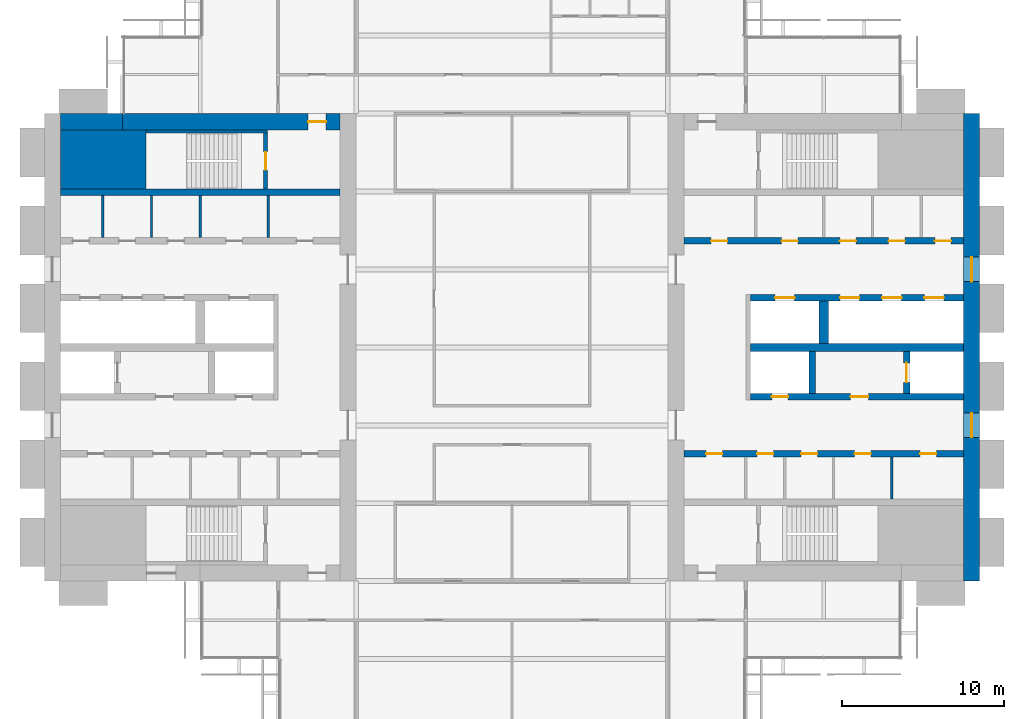
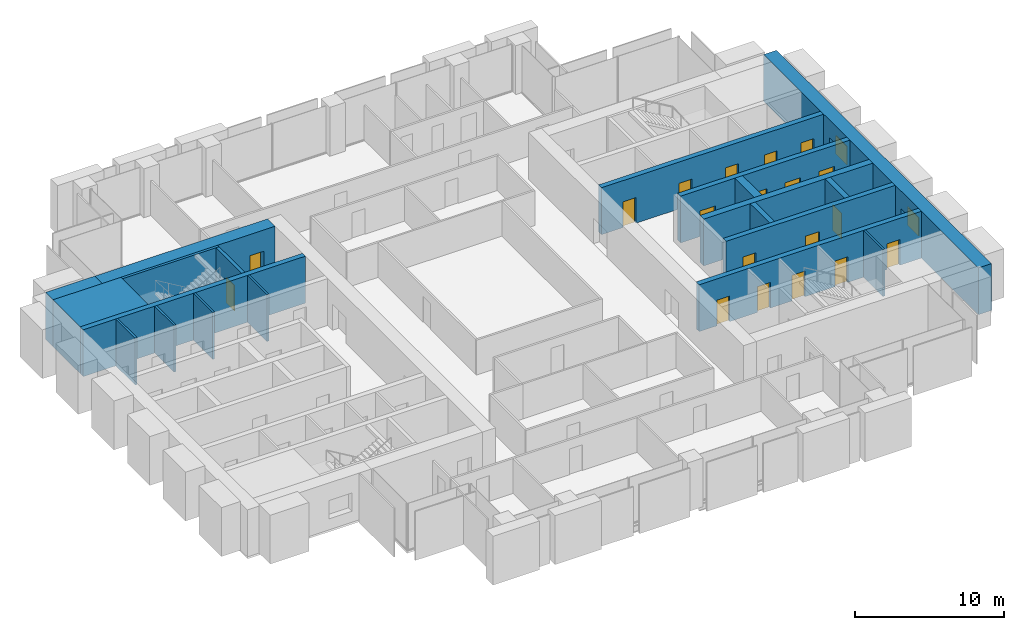
# One storey, part 11 of 14: 20 walls, 19 doors, 2 windows, 21 openings.
"""IFC4 building model written with IfcOpenShell, lengths in metres."""

import ifcopenshell
import ifcopenshell.guid

model = None  # the IFC model being written
_history = None  # IfcOwnerHistory: only IFC2X3 demands one
_inside = {}  # id of a spatial element -> (the spatial element, [elements in it])
_under = {}  # id of a project, library or spatial element -> (it, [spatial elements below it])
_declared = {}  # id of a project -> (the project, [libraries it declares])
_typed = {}  # id of a type object -> (the type object, [elements of that type])
_made_of = {}  # id of a material, layer set ... -> (it, [elements and type objects made of it])


def new_model(schema):
    """Start an empty IFC model of exactly this schema.

    Asked for "IFC4X3", IfcOpenShell would pick the latest addendum, in which some entities
    have other attributes; the version numbers below select the first issue.
    IFC2X3 requires an IfcOwnerHistory on every rooted entity: one is made here for all.
    """
    global model, _history
    if schema == "IFC4X3":
        model = ifcopenshell.file(schema_version=(4, 3, 0, 0))
    else:
        model = ifcopenshell.file(schema=schema)
    _inside.clear()
    _under.clear()
    _declared.clear()
    _typed.clear()
    _made_of.clear()
    _history = None
    if model.schema == "IFC2X3":
        org = make("IfcOrganization", Name="unknown")
        user = make(
            "IfcPersonAndOrganization",
            ThePerson=make("IfcPerson", FamilyName="unknown"),
            TheOrganization=org,
        )
        app = make(
            "IfcApplication",
            ApplicationDeveloper=org,
            Version="unknown",
            ApplicationFullName="unknown",
            ApplicationIdentifier="unknown",
        )
        _history = make(
            "IfcOwnerHistory",
            OwningUser=user,
            OwningApplication=app,
            ChangeAction="ADDED",
            CreationDate=0,
        )
    return model


def make(cls, **values):
    """One entity of the class cls with the attributes given. An attribute that is None is left unset."""
    return model.create_entity(
        cls, **{name: value for name, value in values.items() if value is not None}
    )


def rooted(cls, **values):
    """An entity with a GlobalId (a new one), such as an element, a storey or a relation."""
    return make(cls, GlobalId=ifcopenshell.guid.new(), OwnerHistory=_history, **values)


def si_unit(unit_type, name, prefix=None):
    """IfcSIUnit, for example si_unit("LENGTHUNIT", "METRE", prefix="MILLI")."""
    return make("IfcSIUnit", UnitType=unit_type, Prefix=prefix, Name=name)


def assignment(units):
    """IfcUnitAssignment: the units of a project."""
    return None if units is None else make("IfcUnitAssignment", Units=units)


def point(xyz):
    """IfcCartesianPoint."""
    return None if xyz is None else make("IfcCartesianPoint", Coordinates=xyz)


def direction(xyz):
    """IfcDirection."""
    return None if xyz is None else make("IfcDirection", DirectionRatios=xyz)


def frame(location, z_axis=None, x_axis=None):
    """IfcAxis2Placement3D, a coordinate frame: its origin and axes. An axis left out is left unset."""
    return make(
        "IfcAxis2Placement3D",
        Location=point(location),
        Axis=direction(z_axis),
        RefDirection=direction(x_axis),
    )


def frame_2d(location, x_axis=None):
    """IfcAxis2Placement2D, a coordinate frame in the plane: its origin and x axis."""
    return make(
        "IfcAxis2Placement2D", Location=point(location), RefDirection=direction(x_axis)
    )


def origin():
    """The frame at (0, 0, 0) with its axes left unset."""
    return frame((0.0, 0.0, 0.0))


def place(relative_to, where):
    """IfcLocalPlacement: puts the frame where relative to a parent placement (None: the world)."""
    return make(
        "IfcLocalPlacement", PlacementRelTo=relative_to, RelativePlacement=where
    )


def context(
    kind, dimensions, precision=None, world=None, true_north=None, identifier=None
):
    """IfcGeometricRepresentationContext, for example the 3D "Model" context."""
    return make(
        "IfcGeometricRepresentationContext",
        ContextIdentifier=identifier,
        ContextType=kind,
        CoordinateSpaceDimension=dimensions,
        Precision=precision,
        WorldCoordinateSystem=world,
        TrueNorth=true_north,
    )


def subcontext(parent, identifier, kind, view, scale=None):
    """IfcGeometricRepresentationSubContext, for example "Body" below "Model"."""
    return make(
        "IfcGeometricRepresentationSubContext",
        ContextIdentifier=identifier,
        ContextType=kind,
        ParentContext=parent,
        TargetScale=scale,
        TargetView=view,
    )


def project(units=None, contexts=None):
    """IfcProject with its units and contexts."""
    return rooted(
        "IfcProject",
        Name="project",
        RepresentationContexts=contexts,
        UnitsInContext=assignment(units),
    )


def spatial(cls, under=None, at=None, **own):
    """A site, building, storey or space (cls), placed at a placement, below another one or the project."""
    s = rooted(cls, ObjectPlacement=at, **own)
    if under is not None:
        _under.setdefault(under.id(), (under, []))[1].append(s)
    return s


def profile(cls, at=None, kind="AREA", **sizes):
    """A parametric profile (cls). Its sizes go by their IFC names, for example OverallWidth=200.0."""
    return make(cls, ProfileType=kind, Position=at, **sizes)


def rectangle(**sizes):
    """IfcRectangleProfileDef."""
    return profile("IfcRectangleProfileDef", **sizes)


def extrude(swept, where, along, depth):
    """IfcExtrudedAreaSolid: the profile swept, set in the frame where, extruded along a direction by depth."""
    return make(
        "IfcExtrudedAreaSolid",
        SweptArea=swept,
        Position=where,
        ExtrudedDirection=direction(along),
        Depth=depth,
    )


def shape(context_of_items, identifier, shape_type, items):
    """IfcShapeRepresentation: the items that make up one representation, for example the "Body"."""
    return make(
        "IfcShapeRepresentation",
        ContextOfItems=context_of_items,
        RepresentationIdentifier=identifier,
        RepresentationType=shape_type,
        Items=items,
    )


def material(Name=None, Category=None):
    """IfcMaterial."""
    return make("IfcMaterial", Name=Name, Category=Category)


def layer(
    of_material, thickness, ventilated=None, Name=None, Category=None, Priority=None
):
    """IfcMaterialLayer: one layer of a wall or slab, of a material (None: an air gap)."""
    return make(
        "IfcMaterialLayer",
        Material=of_material,
        LayerThickness=thickness,
        IsVentilated=ventilated,
        Name=Name,
        Category=Category,
        Priority=Priority,
    )


def layer_set(layers, Name=None):
    """IfcMaterialLayerSet."""
    return make("IfcMaterialLayerSet", MaterialLayers=layers, LayerSetName=Name)


def made_of(thing, what):
    """Note that an element or type object is made of a material, layer set ...; save() writes the relation."""
    if what is not None:
        _made_of.setdefault(what.id(), (what, []))[1].append(thing)
    return thing


def type_object(cls, material=None, **own):
    """A type object (cls), such as IfcWallType, which elements share."""
    return made_of(rooted(cls, **own), material)


def element(
    cls,
    number,
    at=None,
    inside=None,
    cuts=None,
    type_object=None,
    material=None,
    context=None,
    identifier="Body",
    shape_type=None,
    held_by="IfcProductDefinitionShape",
    body=None,
    shapes=None,
    **own,
):
    """One element of the class cls, such as IfcWall. Its Tag is "e" and its number.

    at: its placement. inside: the storey or other place that contains it. cuts: it is an
    opening in that element (IfcRelVoidsElement). A single representation is given by context,
    identifier, shape_type and body (its items); several are given by shapes. held_by: the class
    of the entity that holds the representations. save() writes the other relations.
    """
    e = rooted(cls, Tag="e%d" % number, ObjectPlacement=at, **own)
    if body is not None:
        shapes = [shape(context, identifier, shape_type, body)]
    if shapes is not None:
        e.Representation = make(held_by, Representations=shapes)
    if inside is not None:
        _inside.setdefault(inside.id(), (inside, []))[1].append(e)
    if cuts is not None:
        rooted(
            "IfcRelVoidsElement", RelatingBuildingElement=cuts, RelatedOpeningElement=e
        )
    if type_object is not None:
        _typed.setdefault(type_object.id(), (type_object, []))[1].append(e)
    return made_of(e, material)


def fill(opening, filler):
    """IfcRelFillsElement: the door or window that sits in an opening."""
    return rooted(
        "IfcRelFillsElement",
        RelatingOpeningElement=opening,
        RelatedBuildingElement=filler,
    )


def aggregate(whole, parts):
    """IfcRelAggregates: a whole, such as a stair, and the parts it consists of."""
    return rooted("IfcRelAggregates", RelatingObject=whole, RelatedObjects=parts)


def save(model, path):
    """Write the relations noted so far, then the file.

    IfcRelAggregates (storeys below a building ...), IfcRelContainedInSpatialStructure (elements
    in a storey), IfcRelDefinesByType, IfcRelAssociatesMaterial and IfcRelDeclares: one each for
    every whole, place, type object, material and project.
    """
    for whole, parts in _under.values():
        aggregate(whole, parts)
    for where, things in _inside.values():
        rooted(
            "IfcRelContainedInSpatialStructure",
            RelatedElements=things,
            RelatingStructure=where,
        )
    for kind, things in _typed.values():
        rooted("IfcRelDefinesByType", RelatedObjects=things, RelatingType=kind)
    for what, things in _made_of.values():
        rooted("IfcRelAssociatesMaterial", RelatedObjects=things, RelatingMaterial=what)
    for by, libraries in _declared.values():
        rooted("IfcRelDeclares", RelatingContext=by, RelatedDefinitions=libraries)
    model.write(path)


model = new_model("IFC4")

# Units and contexts
model_context = context("Model", 3, precision=1e-05, world=origin(), true_north=direction((0.0, 1.0)))
body_context = subcontext(model_context, "Body", "Model", "MODEL_VIEW")
ifc_project = project(units=[si_unit("LENGTHUNIT", "METRE"), si_unit("AREAUNIT", "SQUARE_METRE"), si_unit("VOLUMEUNIT", "CUBIC_METRE"), si_unit("PLANEANGLEUNIT", "RADIAN"), si_unit("MASSUNIT", "GRAM", prefix="KILO")], contexts=[model_context])

# Site, building, storey
site_placement = place(None, origin())
site = spatial("IfcSite", under=ifc_project, at=site_placement, CompositionType="ELEMENT")
building_placement = place(site_placement, origin())
building = spatial("IfcBuilding", under=site, at=building_placement, Name="Baori Bourse Tower", CompositionType="ELEMENT")
storey_placement = place(building_placement, frame((0.0, 0.0, 112.10009765625)))
storey = spatial("IfcBuildingStorey", under=building, at=storey_placement, Name="L23", CompositionType="ELEMENT", Elevation=112.10009765625)

# Walls
ifc_material_1 = material(Name="Concrete f'c 60 MPa", Category="concrete")
wall_type_1 = type_object("IfcWallType", Name="Core corner block f'c 60", PredefinedType="SHEAR", material=ifc_material_1)
wall_1_placement = place(storey_placement, frame((1.0, 35.574951171875, 0.0), z_axis=(0.0, 0.0, 1.0), x_axis=(1.0, 0.0, 0.0)))
element("IfcWall", 1, at=wall_1_placement, inside=storey, type_object=wall_type_1, Name="Core wall W28", PredefinedType="SHEAR", context=body_context, shape_type="SweptSolid", body=[
    extrude(rectangle(XDim=5.25, YDim=3.64990234375, at=frame_2d((2.625, 0.0))), origin(), (0.0, 0.0, 1.0), 3.83984375),
])
ifc_material_2 = material(Name="Blockwork partition", Category="masonry")
ifc_layer_1 = layer(ifc_material_2, 0.14990234375)
ifc_layer_set_1 = layer_set([ifc_layer_1], Name="Core partition 150")
wall_type_2 = type_object("IfcWallType", Name="Core partition 150", PredefinedType="PARTITIONING", material=ifc_layer_set_1)
for number, where, z_axis, x_axis, name in (
    (2, (3.60009765625, 30.75, 0.0), (0.0, 0.0, 1.0), (0.0, 1.0, 0.0), "Partition wall W23"),
    (3, (6.60009765625, 30.75, 0.0), (0.0, 0.0, 1.0), (0.0, 1.0, 0.0), "Partition wall W24"),
    (4, (9.60009765625, 30.75, 0.0), (0.0, 0.0, 1.0), (0.0, 1.0, 0.0), "Partition wall W25"),
    (5, (13.800048828125, 30.75, 0.0), (0.0, 0.0, 1.0), (0.0, 1.0, 0.0), "Partition wall W26"),
    (6, (52.199951171875, 14.64990234375, 0.0), (0.0, 0.0, 1.0), (0.0, 1.0, 0.0), "Partition wall E09"),
):
    element("IfcWall", number, at=place(storey_placement, frame(where, z_axis=z_axis, x_axis=x_axis)), inside=storey, type_object=wall_type_2, Name=name, PredefinedType="PARTITIONING", context=body_context, shape_type="SweptSolid", body=[
        extrude(rectangle(XDim=2.60009765625, YDim=0.14990234375, at=frame_2d((1.300048828125, 0.0))), origin(), (0.0, 0.0, 1.0), 3.83984375),
    ])
ifc_material_3 = material(Name="Concrete f'c 60 MPa", Category="concrete")
ifc_layer_2 = layer(ifc_material_3, 1.0)
ifc_layer_set_2 = layer_set([ifc_layer_2], Name="Core wall 1000 f'c 60")
wall_type_3 = type_object("IfcWallType", Name="Core wall 1000 f'c 60", PredefinedType="SHEAR", material=ifc_layer_set_2)
wall_2_placement = place(storey_placement, frame((1.0, 37.89990234375, 0.0), z_axis=(0.0, 0.0, 1.0), x_axis=(1.0, 0.0, 0.0)))
element("IfcWall", 7, at=wall_2_placement, inside=storey, type_object=wall_type_3, Name="Core wall W31", PredefinedType="SHEAR", context=body_context, shape_type="SweptSolid", body=[
    extrude(rectangle(XDim=3.800048828125, YDim=1.0, at=frame_2d((1.89990234375, 0.0))), origin(), (0.0, 0.0, 1.0), 3.83984375),
])

# Wall, opening, door
wall_3_placement = place(storey_placement, frame((4.800048828125, 37.89990234375, 0.0), z_axis=(0.0, 0.0, 1.0), x_axis=(1.0, 0.0, 0.0)))
wall_3 = element("IfcWall", 8, at=wall_3_placement, inside=storey, type_object=wall_type_3, Name="Core wall W32", PredefinedType="SHEAR", context=body_context, shape_type="SweptSolid", body=[
    extrude(rectangle(XDim=13.39990234375, YDim=1.0, at=frame_2d((6.699951171875, 0.0))), origin(), (0.0, 0.0, 1.0), 3.83984375),
])
opening_1_placement = place(wall_3_placement, frame((11.449951171875, 0.0, 0.0)))
opening_1 = element("IfcOpeningElement", 9, at=opening_1_placement, cuts=wall_3, Name="Opening L23-D104", PredefinedType="OPENING", context=body_context, shape_type="SweptSolid", body=[
    extrude(rectangle(XDim=1.10009765625, YDim=2.10009765625, at=frame_2d((0.550048828125, 1.050048828125))), frame((0.0, 0.510009765625, 0.0), z_axis=(0.0, -1.0, 0.0), x_axis=(1.0, 0.0, 0.0)), (0.0, 0.0, 1.0), 1.02001953125),
])
ifc_material_4 = material(Name="Painted steel door", Category="steel")
door_type_1 = type_object("IfcDoorType", Name="Stair door 1100", OperationType="SINGLE_SWING_LEFT", PredefinedType="DOOR", material=ifc_material_4)
door_1_placement = place(opening_1_placement, origin())
door_1 = element("IfcDoor", 10, at=door_1_placement, inside=storey, type_object=door_type_1, Name="Stair vestibule door B W L23", OperationType="SINGLE_SWING_LEFT", OverallHeight=2.10009765625, OverallWidth=1.10009765625, PredefinedType="DOOR", context=body_context, shape_type="SweptSolid", body=[
    extrude(rectangle(XDim=1.10009765625, YDim=2.10009765625, at=frame_2d((0.550048828125, 1.050048828125))), frame((0.0, 0.02490234375, 0.0), z_axis=(0.0, -1.0, 0.0), x_axis=(1.0, 0.0, 0.0)), (0.0, 0.0, 1.0), 0.050048828125),
])
fill(opening_1, door_1)

# Wall, openings, windows
wall_4_placement = place(storey_placement, frame((57.10009765625, 38.39990234375, 0.0), z_axis=(0.0, 0.0, 1.0), x_axis=(0.0, -1.0, 0.0)))
wall_4 = element("IfcWall", 11, at=wall_4_placement, inside=storey, type_object=wall_type_3, Name="Core wall E01", PredefinedType="SHEAR", context=body_context, shape_type="SweptSolid", body=[
    extrude(rectangle(XDim=28.7998046875, YDim=1.0, at=frame_2d((14.39990234375, 0.0))), origin(), (0.0, 0.0, 1.0), 3.83984375),
])
opening_2_placement = place(wall_4_placement, frame((18.449951171875, 0.0, 0.89990234375)))
opening_2 = element("IfcOpeningElement", 12, at=opening_2_placement, cuts=wall_4, Name="Opening L23-KW201", PredefinedType="OPENING", context=body_context, shape_type="SweptSolid", body=[
    extrude(rectangle(XDim=1.5, YDim=1.5, at=frame_2d((0.75, 0.75))), frame((0.0, 0.510009765625, 0.0), z_axis=(0.0, -1.0, 0.0), x_axis=(1.0, 0.0, 0.0)), (0.0, 0.0, 1.0), 1.02001953125),
])
opening_3_placement = place(wall_4_placement, frame((8.85009765625, 0.0, 0.89990234375)))
opening_3 = element("IfcOpeningElement", 13, at=opening_3_placement, cuts=wall_4, Name="Opening L23-KW202", PredefinedType="OPENING", context=body_context, shape_type="SweptSolid", body=[
    extrude(rectangle(XDim=1.5, YDim=1.5, at=frame_2d((0.75, 0.75))), frame((0.0, 0.510009765625, 0.0), z_axis=(0.0, -1.0, 0.0), x_axis=(1.0, 0.0, 0.0)), (0.0, 0.0, 1.0), 1.02001953125),
])
ifc_material_5 = material(Name="Pale anodised aluminium", Category="aluminium")
window_type = type_object("IfcWindowType", Name="Lobby window 1500 x 1500", PartitioningType="SINGLE_PANEL", PredefinedType="WINDOW", material=ifc_material_5)
window_1_placement = place(opening_2_placement, origin())
window_1 = element("IfcWindow", 14, at=window_1_placement, inside=storey, type_object=window_type, Name="Outer wall window E L23 1", OverallHeight=1.5, OverallWidth=1.5, PartitioningType="SINGLE_PANEL", PredefinedType="WINDOW", context=body_context, shape_type="SweptSolid", body=[
    extrude(rectangle(XDim=1.5, YDim=1.5, at=frame_2d((0.75, 0.75))), frame((0.0, 0.030029296875, 0.0), z_axis=(0.0, -1.0, 0.0), x_axis=(1.0, 0.0, 0.0)), (0.0, 0.0, 1.0), 0.06005859375),
])
fill(opening_2, window_1)
window_2_placement = place(opening_3_placement, origin())
window_2 = element("IfcWindow", 15, at=window_2_placement, inside=storey, type_object=window_type, Name="Outer wall window E L23 2", OverallHeight=1.5, OverallWidth=1.5, PartitioningType="SINGLE_PANEL", PredefinedType="WINDOW", context=body_context, shape_type="SweptSolid", body=[
    extrude(rectangle(XDim=1.5, YDim=1.5, at=frame_2d((0.75, 0.75))), frame((0.0, 0.030029296875, 0.0), z_axis=(0.0, -1.0, 0.0), x_axis=(1.0, 0.0, 0.0)), (0.0, 0.0, 1.0), 0.06005859375),
])
fill(opening_3, window_2)

# Wall
ifc_material_6 = material(Name="Concrete f'c 60 MPa", Category="concrete")
ifc_layer_3 = layer(ifc_material_6, 0.199951171875)
ifc_layer_set_3 = layer_set([ifc_layer_3], Name="Shaft wall 200 f'c 60")
wall_type_4 = type_object("IfcWallType", Name="Shaft wall 200 f'c 60", PredefinedType="SHEAR", material=ifc_layer_set_3)
wall_5_placement = place(storey_placement, frame((6.25, 37.300048828125, 0.0), z_axis=(0.0, 0.0, 1.0), x_axis=(1.0, 0.0, 0.0)))
element("IfcWall", 16, at=wall_5_placement, inside=storey, type_object=wall_type_4, Name="Core wall W30", PredefinedType="SHEAR", context=body_context, shape_type="SweptSolid", body=[
    extrude(rectangle(XDim=7.5, YDim=0.199951171875, at=frame_2d((3.75, 0.0))), origin(), (0.0, 0.0, 1.0), 3.83984375),
])

# Wall, opening, door
ifc_material_7 = material(Name="Concrete f'c 60 MPa", Category="concrete")
ifc_layer_4 = layer(ifc_material_7, 0.25)
ifc_layer_set_4 = layer_set([ifc_layer_4], Name="Shaft wall 250 f'c 60")
wall_type_5 = type_object("IfcWallType", Name="Shaft wall 250 f'c 60", PredefinedType="SHEAR", material=ifc_layer_set_4)
wall_6_placement = place(storey_placement, frame((13.625, 33.75, 0.0), z_axis=(0.0, 0.0, 1.0), x_axis=(0.0, 1.0, 0.0)))
wall_6 = element("IfcWall", 17, at=wall_6_placement, inside=storey, type_object=wall_type_5, Name="Core wall W29", PredefinedType="SHEAR", context=body_context, shape_type="SweptSolid", body=[
    extrude(rectangle(XDim=3.449951171875, YDim=0.25, at=frame_2d((1.72509765625, 0.0))), origin(), (0.0, 0.0, 1.0), 3.83984375),
])
opening_4_placement = place(wall_6_placement, frame((1.175048828125, 0.0, 0.0)))
opening_4 = element("IfcOpeningElement", 18, at=opening_4_placement, cuts=wall_6, Name="Opening L23-D103", PredefinedType="OPENING", context=body_context, shape_type="SweptSolid", body=[
    extrude(rectangle(XDim=1.10009765625, YDim=2.10009765625, at=frame_2d((0.550048828125, 1.050048828125))), frame((0.0, 0.135009765625, 0.0), z_axis=(0.0, -1.0, 0.0), x_axis=(1.0, 0.0, 0.0)), (0.0, 0.0, 1.0), 0.27001953125),
])
door_2_placement = place(opening_4_placement, origin())
door_2 = element("IfcDoor", 19, at=door_2_placement, inside=storey, type_object=door_type_1, Name="Stair door B W L23", OperationType="SINGLE_SWING_LEFT", OverallHeight=2.10009765625, OverallWidth=1.10009765625, PredefinedType="DOOR", context=body_context, shape_type="SweptSolid", body=[
    extrude(rectangle(XDim=1.10009765625, YDim=2.10009765625, at=frame_2d((0.550048828125, 1.050048828125))), frame((0.0, 0.02490234375, 0.0), z_axis=(0.0, -1.0, 0.0), x_axis=(1.0, 0.0, 0.0)), (0.0, 0.0, 1.0), 0.050048828125),
])
fill(opening_4, door_2)

# Wall
ifc_material_8 = material(Name="Concrete f'c 60 MPa", Category="concrete")
ifc_layer_5 = layer(ifc_material_8, 0.39990234375)
ifc_layer_set_5 = layer_set([ifc_layer_5], Name="Shaft wall 400 f'c 60")
wall_type_6 = type_object("IfcWallType", Name="Shaft wall 400 f'c 60", PredefinedType="SHEAR", material=ifc_layer_set_5)
wall_7_placement = place(storey_placement, frame((1.0, 33.550048828125, 0.0), z_axis=(0.0, 0.0, 1.0), x_axis=(1.0, 0.0, 0.0)))
element("IfcWall", 20, at=wall_7_placement, inside=storey, type_object=wall_type_6, Name="Core wall W27", PredefinedType="SHEAR", context=body_context, shape_type="SweptSolid", body=[
    extrude(rectangle(XDim=17.199951171875, YDim=0.39990234375, at=frame_2d((8.60009765625, 0.0))), origin(), (0.0, 0.0, 1.0), 3.83984375),
])

# Wall, openings, doors
wall_8_placement = place(storey_placement, frame((39.39990234375, 17.449951171875, 0.0), z_axis=(0.0, 0.0, 1.0), x_axis=(1.0, 0.0, 0.0)))
wall_8 = element("IfcWall", 21, at=wall_8_placement, inside=storey, type_object=wall_type_6, Name="Core wall E13", PredefinedType="SHEAR", context=body_context, shape_type="SweptSolid", body=[
    extrude(rectangle(XDim=17.2001953125, YDim=0.39990234375, at=frame_2d((8.60009765625, 0.0))), origin(), (0.0, 0.0, 1.0), 3.83984375),
])
opening_5_placement = place(wall_8_placement, frame((14.53759765625, 0.0, 0.0)))
opening_5 = element("IfcOpeningElement", 22, at=opening_5_placement, cuts=wall_8, Name="Opening L23-D214", PredefinedType="OPENING", context=body_context, shape_type="SweptSolid", body=[
    extrude(rectangle(XDim=1.0, YDim=2.10009765625, at=frame_2d((0.5, 1.050048828125))), frame((0.0, 0.2099609375, 0.0), z_axis=(0.0, -1.0, 0.0), x_axis=(1.0, 0.0, 0.0)), (0.0, 0.0, 1.0), 0.419921875),
])
opening_6_placement = place(wall_8_placement, frame((10.5, 0.0, 0.0)))
opening_6 = element("IfcOpeningElement", 23, at=opening_6_placement, cuts=wall_8, Name="Opening L23-D215", PredefinedType="OPENING", context=body_context, shape_type="SweptSolid", body=[
    extrude(rectangle(XDim=1.0, YDim=2.10009765625, at=frame_2d((0.5, 1.050048828125))), frame((0.0, 0.2099609375, 0.0), z_axis=(0.0, -1.0, 0.0), x_axis=(1.0, 0.0, 0.0)), (0.0, 0.0, 1.0), 0.419921875),
])
opening_7_placement = place(wall_8_placement, frame((7.199951171875, 0.0, 0.0)))
opening_7 = element("IfcOpeningElement", 24, at=opening_7_placement, cuts=wall_8, Name="Opening L23-D216", PredefinedType="OPENING", context=body_context, shape_type="SweptSolid", body=[
    extrude(rectangle(XDim=1.0, YDim=2.10009765625, at=frame_2d((0.5, 1.050048828125))), frame((0.0, 0.2099609375, 0.0), z_axis=(0.0, -1.0, 0.0), x_axis=(1.0, 0.0, 0.0)), (0.0, 0.0, 1.0), 0.419921875),
])
opening_8_placement = place(wall_8_placement, frame((4.5, 0.0, 0.0)))
opening_8 = element("IfcOpeningElement", 25, at=opening_8_placement, cuts=wall_8, Name="Opening L23-D217", PredefinedType="OPENING", context=body_context, shape_type="SweptSolid", body=[
    extrude(rectangle(XDim=1.0, YDim=2.10009765625, at=frame_2d((0.5, 1.050048828125))), frame((0.0, 0.2099609375, 0.0), z_axis=(0.0, -1.0, 0.0), x_axis=(1.0, 0.0, 0.0)), (0.0, 0.0, 1.0), 0.419921875),
])
opening_9_placement = place(wall_8_placement, frame((1.362548828125, 0.0, 0.0)))
opening_9 = element("IfcOpeningElement", 26, at=opening_9_placement, cuts=wall_8, Name="Opening L23-D218", PredefinedType="OPENING", context=body_context, shape_type="SweptSolid", body=[
    extrude(rectangle(XDim=1.0, YDim=2.10009765625, at=frame_2d((0.5, 1.050048828125))), frame((0.0, 0.2099609375, 0.0), z_axis=(0.0, -1.0, 0.0), x_axis=(1.0, 0.0, 0.0)), (0.0, 0.0, 1.0), 0.419921875),
])
ifc_material_9 = material(Name="Painted steel door", Category="steel")
door_type_2 = type_object("IfcDoorType", Name="Core door 1000", OperationType="SINGLE_SWING_LEFT", PredefinedType="DOOR", material=ifc_material_9)
door_3_placement = place(opening_5_placement, origin())
door_3 = element("IfcDoor", 27, at=door_3_placement, inside=storey, type_object=door_type_2, Name="Men'S Wc door E L23", OperationType="SINGLE_SWING_LEFT", OverallHeight=2.10009765625, OverallWidth=1.0, PredefinedType="DOOR", context=body_context, shape_type="SweptSolid", body=[
    extrude(rectangle(XDim=1.0, YDim=2.10009765625, at=frame_2d((0.5, 1.050048828125))), frame((0.0, 0.02490234375, 0.0), z_axis=(0.0, -1.0, 0.0), x_axis=(1.0, 0.0, 0.0)), (0.0, 0.0, 1.0), 0.050048828125),
])
fill(opening_5, door_3)
door_4_placement = place(opening_6_placement, origin())
door_4 = element("IfcDoor", 28, at=door_4_placement, inside=storey, type_object=door_type_2, Name="Women'S Wc door E L23", OperationType="SINGLE_SWING_LEFT", OverallHeight=2.10009765625, OverallWidth=1.0, PredefinedType="DOOR", context=body_context, shape_type="SweptSolid", body=[
    extrude(rectangle(XDim=1.0, YDim=2.10009765625, at=frame_2d((0.5, 1.050048828125))), frame((0.0, 0.02490234375, 0.0), z_axis=(0.0, -1.0, 0.0), x_axis=(1.0, 0.0, 0.0)), (0.0, 0.0, 1.0), 0.050048828125),
])
fill(opening_6, door_4)
door_5_placement = place(opening_7_placement, origin())
door_5 = element("IfcDoor", 29, at=door_5_placement, inside=storey, type_object=door_type_2, Name="Store Room door E L23", OperationType="SINGLE_SWING_LEFT", OverallHeight=2.10009765625, OverallWidth=1.0, PredefinedType="DOOR", context=body_context, shape_type="SweptSolid", body=[
    extrude(rectangle(XDim=1.0, YDim=2.10009765625, at=frame_2d((0.5, 1.050048828125))), frame((0.0, 0.02490234375, 0.0), z_axis=(0.0, -1.0, 0.0), x_axis=(1.0, 0.0, 0.0)), (0.0, 0.0, 1.0), 0.050048828125),
])
fill(opening_7, door_5)
door_6_placement = place(opening_8_placement, origin())
door_6 = element("IfcDoor", 30, at=door_6_placement, inside=storey, type_object=door_type_2, Name="Janitor'S Closet door E L23", OperationType="SINGLE_SWING_LEFT", OverallHeight=2.10009765625, OverallWidth=1.0, PredefinedType="DOOR", context=body_context, shape_type="SweptSolid", body=[
    extrude(rectangle(XDim=1.0, YDim=2.10009765625, at=frame_2d((0.5, 1.050048828125))), frame((0.0, 0.02490234375, 0.0), z_axis=(0.0, -1.0, 0.0), x_axis=(1.0, 0.0, 0.0)), (0.0, 0.0, 1.0), 0.050048828125),
])
fill(opening_8, door_6)
door_7_placement = place(opening_9_placement, origin())
door_7 = element("IfcDoor", 31, at=door_7_placement, inside=storey, type_object=door_type_2, Name="Accessible Wc door E L23", OperationType="SINGLE_SWING_LEFT", OverallHeight=2.10009765625, OverallWidth=1.0, PredefinedType="DOOR", context=body_context, shape_type="SweptSolid", body=[
    extrude(rectangle(XDim=1.0, YDim=2.10009765625, at=frame_2d((0.5, 1.050048828125))), frame((0.0, 0.02490234375, 0.0), z_axis=(0.0, -1.0, 0.0), x_axis=(1.0, 0.0, 0.0)), (0.0, 0.0, 1.0), 0.050048828125),
])
fill(opening_9, door_7)

wall_9_placement = place(storey_placement, frame((43.5, 20.949951171875, 0.0), z_axis=(0.0, 0.0, 1.0), x_axis=(1.0, 0.0, 0.0)))
wall_9 = element("IfcWall", 32, at=wall_9_placement, inside=storey, type_object=wall_type_6, Name="Core wall E14", PredefinedType="SHEAR", context=body_context, shape_type="SweptSolid", body=[
    extrude(rectangle(XDim=13.10009765625, YDim=0.39990234375, at=frame_2d((6.550048828125, 0.0))), origin(), (0.0, 0.0, 1.0), 3.83984375),
])
opening_10_placement = place(wall_9_placement, frame((6.14990234375, 0.0, 0.0)))
opening_10 = element("IfcOpeningElement", 33, at=opening_10_placement, cuts=wall_9, Name="Opening L23-D205", PredefinedType="OPENING", context=body_context, shape_type="SweptSolid", body=[
    extrude(rectangle(XDim=1.10009765625, YDim=2.10009765625, at=frame_2d((0.550048828125, 1.050048828125))), frame((0.0, 0.2099609375, 0.0), z_axis=(0.0, -1.0, 0.0), x_axis=(1.0, 0.0, 0.0)), (0.0, 0.0, 1.0), 0.419921875),
])
opening_11_placement = place(wall_9_placement, frame((1.300048828125, 0.0, 0.0)))
opening_11 = element("IfcOpeningElement", 34, at=opening_11_placement, cuts=wall_9, Name="Opening L23-D206", PredefinedType="OPENING", context=body_context, shape_type="SweptSolid", body=[
    extrude(rectangle(XDim=1.0, YDim=2.10009765625, at=frame_2d((0.5, 1.050048828125))), frame((0.0, 0.2099609375, 0.0), z_axis=(0.0, -1.0, 0.0), x_axis=(1.0, 0.0, 0.0)), (0.0, 0.0, 1.0), 0.419921875),
])
ifc_material_10 = material(Name="Painted steel door", Category="steel")
door_type_3 = type_object("IfcDoorType", Name="Lobby door 1100", OperationType="SINGLE_SWING_LEFT", PredefinedType="DOOR", material=ifc_material_10)
door_8_placement = place(opening_10_placement, origin())
door_8 = element("IfcDoor", 35, at=door_8_placement, inside=storey, type_object=door_type_3, Name="Firefighting lobby door E L23", OperationType="SINGLE_SWING_LEFT", OverallHeight=2.10009765625, OverallWidth=1.10009765625, PredefinedType="DOOR", context=body_context, shape_type="SweptSolid", body=[
    extrude(rectangle(XDim=1.10009765625, YDim=2.10009765625, at=frame_2d((0.550048828125, 1.050048828125))), frame((0.0, 0.02490234375, 0.0), z_axis=(0.0, -1.0, 0.0), x_axis=(1.0, 0.0, 0.0)), (0.0, 0.0, 1.0), 0.050048828125),
])
fill(opening_10, door_8)
ifc_material_11 = material(Name="Painted steel door", Category="steel")
door_type_4 = type_object("IfcDoorType", Name="Shaft door 1000", OperationType="SINGLE_SWING_LEFT", PredefinedType="DOOR", material=ifc_material_11)
door_9_placement = place(opening_11_placement, origin())
door_9 = element("IfcDoor", 36, at=door_9_placement, inside=storey, type_object=door_type_4, Name="Riser room door E L23", OperationType="SINGLE_SWING_LEFT", OverallHeight=2.10009765625, OverallWidth=1.0, PredefinedType="DOOR", context=body_context, shape_type="SweptSolid", body=[
    extrude(rectangle(XDim=1.0, YDim=2.10009765625, at=frame_2d((0.5, 1.050048828125))), frame((0.0, 0.02490234375, 0.0), z_axis=(0.0, -1.0, 0.0), x_axis=(1.0, 0.0, 0.0)), (0.0, 0.0, 1.0), 0.050048828125),
])
fill(opening_11, door_9)

# Wall, opening, door
wall_10_placement = place(storey_placement, frame((53.10009765625, 21.14990234375, 0.0), z_axis=(0.0, 0.0, 1.0), x_axis=(0.0, 1.0, 0.0)))
wall_10 = element("IfcWall", 37, at=wall_10_placement, inside=storey, type_object=wall_type_6, Name="Core wall E16", PredefinedType="SHEAR", context=body_context, shape_type="SweptSolid", body=[
    extrude(rectangle(XDim=2.60009765625, YDim=0.39990234375, at=frame_2d((1.300048828125, 0.0))), origin(), (0.0, 0.0, 1.0), 3.83984375),
])
opening_12_placement = place(wall_10_placement, frame((0.699951171875, 0.0, 0.0)))
opening_12 = element("IfcOpeningElement", 38, at=opening_12_placement, cuts=wall_10, Name="Opening L23-D223", PredefinedType="OPENING", context=body_context, shape_type="SweptSolid", body=[
    extrude(rectangle(XDim=1.199951171875, YDim=2.10009765625, at=frame_2d((0.60009765625, 1.050048828125))), frame((0.0, 0.2099609375, 0.0), z_axis=(0.0, -1.0, 0.0), x_axis=(1.0, 0.0, 0.0)), (0.0, 0.0, 1.0), 0.419921875),
])
ifc_material_12 = material(Name="Stainless steel door", Category="steel")
door_type_5 = type_object("IfcDoorType", Name="Lift landing door", OperationType="DOUBLE_DOOR_SLIDING", PredefinedType="DOOR", material=ifc_material_12)
door_10_placement = place(opening_12_placement, origin())
door_10 = element("IfcDoor", 39, at=door_10_placement, inside=storey, type_object=door_type_5, Name="Lift landing door FF2 E L23", OperationType="DOUBLE_DOOR_SLIDING", OverallHeight=2.10009765625, OverallWidth=1.199951171875, PredefinedType="DOOR", context=body_context, shape_type="SweptSolid", body=[
    extrude(rectangle(XDim=1.199951171875, YDim=2.10009765625, at=frame_2d((0.60009765625, 1.050048828125))), frame((0.0, 0.02490234375, 0.0), z_axis=(0.0, -1.0, 0.0), x_axis=(1.0, 0.0, 0.0)), (0.0, 0.0, 1.0), 0.050048828125),
])
fill(opening_12, door_10)

# Wall
wall_11_placement = place(storey_placement, frame((47.300048828125, 21.14990234375, 0.0), z_axis=(0.0, 0.0, 1.0), x_axis=(0.0, 1.0, 0.0)))
element("IfcWall", 40, at=wall_11_placement, inside=storey, type_object=wall_type_6, Name="Core wall E17", PredefinedType="SHEAR", context=body_context, shape_type="SweptSolid", body=[
    extrude(rectangle(XDim=2.60009765625, YDim=0.39990234375, at=frame_2d((1.300048828125, 0.0))), origin(), (0.0, 0.0, 1.0), 3.83984375),
])

# Wall, openings, doors
wall_12_placement = place(storey_placement, frame((43.5, 27.050048828125, 0.0), z_axis=(0.0, 0.0, 1.0), x_axis=(1.0, 0.0, 0.0)))
wall_12 = element("IfcWall", 41, at=wall_12_placement, inside=storey, type_object=wall_type_6, Name="Core wall E20", PredefinedType="SHEAR", context=body_context, shape_type="SweptSolid", body=[
    extrude(rectangle(XDim=13.10009765625, YDim=0.39990234375, at=frame_2d((6.550048828125, 0.0))), origin(), (0.0, 0.0, 1.0), 3.83984375),
])
opening_13_placement = place(wall_12_placement, frame((10.699951171875, 0.0, 0.0)))
opening_13 = element("IfcOpeningElement", 42, at=opening_13_placement, cuts=wall_12, Name="Opening L23-D219", PredefinedType="OPENING", context=body_context, shape_type="SweptSolid", body=[
    extrude(rectangle(XDim=1.199951171875, YDim=2.10009765625, at=frame_2d((0.60009765625, 1.050048828125))), frame((0.0, 0.2099609375, 0.0), z_axis=(0.0, -1.0, 0.0), x_axis=(1.0, 0.0, 0.0)), (0.0, 0.0, 1.0), 0.419921875),
])
opening_14_placement = place(wall_12_placement, frame((8.10009765625, 0.0, 0.0)))
opening_14 = element("IfcOpeningElement", 43, at=opening_14_placement, cuts=wall_12, Name="Opening L23-D220", PredefinedType="OPENING", context=body_context, shape_type="SweptSolid", body=[
    extrude(rectangle(XDim=1.199951171875, YDim=2.10009765625, at=frame_2d((0.60009765625, 1.050048828125))), frame((0.0, 0.2099609375, 0.0), z_axis=(0.0, -1.0, 0.0), x_axis=(1.0, 0.0, 0.0)), (0.0, 0.0, 1.0), 0.419921875),
])
opening_15_placement = place(wall_12_placement, frame((5.5, 0.0, 0.0)))
opening_15 = element("IfcOpeningElement", 44, at=opening_15_placement, cuts=wall_12, Name="Opening L23-D221", PredefinedType="OPENING", context=body_context, shape_type="SweptSolid", body=[
    extrude(rectangle(XDim=1.199951171875, YDim=2.10009765625, at=frame_2d((0.60009765625, 1.050048828125))), frame((0.0, 0.2099609375, 0.0), z_axis=(0.0, -1.0, 0.0), x_axis=(1.0, 0.0, 0.0)), (0.0, 0.0, 1.0), 0.419921875),
])
opening_16_placement = place(wall_12_placement, frame((1.5, 0.0, 0.0)))
opening_16 = element("IfcOpeningElement", 45, at=opening_16_placement, cuts=wall_12, Name="Opening L23-D222", PredefinedType="OPENING", context=body_context, shape_type="SweptSolid", body=[
    extrude(rectangle(XDim=1.199951171875, YDim=2.10009765625, at=frame_2d((0.60009765625, 1.050048828125))), frame((0.0, 0.2099609375, 0.0), z_axis=(0.0, -1.0, 0.0), x_axis=(1.0, 0.0, 0.0)), (0.0, 0.0, 1.0), 0.419921875),
])
door_11_placement = place(opening_13_placement, origin())
door_11 = element("IfcDoor", 46, at=door_11_placement, inside=storey, type_object=door_type_5, Name="Lift landing door SH1 E L23", OperationType="DOUBLE_DOOR_SLIDING", OverallHeight=2.10009765625, OverallWidth=1.199951171875, PredefinedType="DOOR", context=body_context, shape_type="SweptSolid", body=[
    extrude(rectangle(XDim=1.199951171875, YDim=2.10009765625, at=frame_2d((0.60009765625, 1.050048828125))), frame((0.0, 0.02490234375, 0.0), z_axis=(0.0, -1.0, 0.0), x_axis=(1.0, 0.0, 0.0)), (0.0, 0.0, 1.0), 0.050048828125),
])
fill(opening_13, door_11)
door_12_placement = place(opening_14_placement, origin())
door_12 = element("IfcDoor", 47, at=door_12_placement, inside=storey, type_object=door_type_5, Name="Lift landing door SH2 E L23", OperationType="DOUBLE_DOOR_SLIDING", OverallHeight=2.10009765625, OverallWidth=1.199951171875, PredefinedType="DOOR", context=body_context, shape_type="SweptSolid", body=[
    extrude(rectangle(XDim=1.199951171875, YDim=2.10009765625, at=frame_2d((0.60009765625, 1.050048828125))), frame((0.0, 0.02490234375, 0.0), z_axis=(0.0, -1.0, 0.0), x_axis=(1.0, 0.0, 0.0)), (0.0, 0.0, 1.0), 0.050048828125),
])
fill(opening_14, door_12)
door_13_placement = place(opening_15_placement, origin())
door_13 = element("IfcDoor", 48, at=door_13_placement, inside=storey, type_object=door_type_5, Name="Lift landing door SH3 E L23", OperationType="DOUBLE_DOOR_SLIDING", OverallHeight=2.10009765625, OverallWidth=1.199951171875, PredefinedType="DOOR", context=body_context, shape_type="SweptSolid", body=[
    extrude(rectangle(XDim=1.199951171875, YDim=2.10009765625, at=frame_2d((0.60009765625, 1.050048828125))), frame((0.0, 0.02490234375, 0.0), z_axis=(0.0, -1.0, 0.0), x_axis=(1.0, 0.0, 0.0)), (0.0, 0.0, 1.0), 0.050048828125),
])
fill(opening_15, door_13)
door_14_placement = place(opening_16_placement, origin())
door_14 = element("IfcDoor", 49, at=door_14_placement, inside=storey, type_object=door_type_5, Name="Lift landing door SV1 E L23", OperationType="DOUBLE_DOOR_SLIDING", OverallHeight=2.10009765625, OverallWidth=1.199951171875, PredefinedType="DOOR", context=body_context, shape_type="SweptSolid", body=[
    extrude(rectangle(XDim=1.199951171875, YDim=2.10009765625, at=frame_2d((0.60009765625, 1.050048828125))), frame((0.0, 0.02490234375, 0.0), z_axis=(0.0, -1.0, 0.0), x_axis=(1.0, 0.0, 0.0)), (0.0, 0.0, 1.0), 0.050048828125),
])
fill(opening_16, door_14)

wall_13_placement = place(storey_placement, frame((39.39990234375, 30.550048828125, 0.0), z_axis=(0.0, 0.0, 1.0), x_axis=(1.0, 0.0, 0.0)))
wall_13 = element("IfcWall", 50, at=wall_13_placement, inside=storey, type_object=wall_type_6, Name="Core wall E21", PredefinedType="SHEAR", context=body_context, shape_type="SweptSolid", body=[
    extrude(rectangle(XDim=17.2001953125, YDim=0.39990234375, at=frame_2d((8.60009765625, 0.0))), origin(), (0.0, 0.0, 1.0), 3.83984375),
])
opening_17_placement = place(wall_13_placement, frame((15.4375, 0.0, 0.0)))
opening_17 = element("IfcOpeningElement", 51, at=opening_17_placement, cuts=wall_13, Name="Opening L23-D209", PredefinedType="OPENING", context=body_context, shape_type="SweptSolid", body=[
    extrude(rectangle(XDim=1.0, YDim=2.10009765625, at=frame_2d((0.5, 1.050048828125))), frame((0.0, 0.2099609375, 0.0), z_axis=(0.0, -1.0, 0.0), x_axis=(1.0, 0.0, 0.0)), (0.0, 0.0, 1.0), 0.419921875),
])
opening_18_placement = place(wall_13_placement, frame((12.60009765625, 0.0, 0.0)))
opening_18 = element("IfcOpeningElement", 52, at=opening_18_placement, cuts=wall_13, Name="Opening L23-D210", PredefinedType="OPENING", context=body_context, shape_type="SweptSolid", body=[
    extrude(rectangle(XDim=1.0, YDim=2.10009765625, at=frame_2d((0.5, 1.050048828125))), frame((0.0, 0.2099609375, 0.0), z_axis=(0.0, -1.0, 0.0), x_axis=(1.0, 0.0, 0.0)), (0.0, 0.0, 1.0), 0.419921875),
])
opening_19_placement = place(wall_13_placement, frame((9.60009765625, 0.0, 0.0)))
opening_19 = element("IfcOpeningElement", 53, at=opening_19_placement, cuts=wall_13, Name="Opening L23-D211", PredefinedType="OPENING", context=body_context, shape_type="SweptSolid", body=[
    extrude(rectangle(XDim=1.0, YDim=2.10009765625, at=frame_2d((0.5, 1.050048828125))), frame((0.0, 0.2099609375, 0.0), z_axis=(0.0, -1.0, 0.0), x_axis=(1.0, 0.0, 0.0)), (0.0, 0.0, 1.0), 0.419921875),
])
opening_20_placement = place(wall_13_placement, frame((6.0, 0.0, 0.0)))
opening_20 = element("IfcOpeningElement", 54, at=opening_20_placement, cuts=wall_13, Name="Opening L23-D212", PredefinedType="OPENING", context=body_context, shape_type="SweptSolid", body=[
    extrude(rectangle(XDim=1.0, YDim=2.10009765625, at=frame_2d((0.5, 1.050048828125))), frame((0.0, 0.2099609375, 0.0), z_axis=(0.0, -1.0, 0.0), x_axis=(1.0, 0.0, 0.0)), (0.0, 0.0, 1.0), 0.419921875),
])
opening_21_placement = place(wall_13_placement, frame((1.66259765625, 0.0, 0.0)))
opening_21 = element("IfcOpeningElement", 55, at=opening_21_placement, cuts=wall_13, Name="Opening L23-D213", PredefinedType="OPENING", context=body_context, shape_type="SweptSolid", body=[
    extrude(rectangle(XDim=1.0, YDim=2.10009765625, at=frame_2d((0.5, 1.050048828125))), frame((0.0, 0.2099609375, 0.0), z_axis=(0.0, -1.0, 0.0), x_axis=(1.0, 0.0, 0.0)), (0.0, 0.0, 1.0), 0.419921875),
])
door_15_placement = place(opening_17_placement, origin())
door_15 = element("IfcDoor", 56, at=door_15_placement, inside=storey, type_object=door_type_2, Name="Pantry door E L23", OperationType="SINGLE_SWING_LEFT", OverallHeight=2.10009765625, OverallWidth=1.0, PredefinedType="DOOR", context=body_context, shape_type="SweptSolid", body=[
    extrude(rectangle(XDim=1.0, YDim=2.10009765625, at=frame_2d((0.5, 1.050048828125))), frame((0.0, 0.02490234375, 0.0), z_axis=(0.0, -1.0, 0.0), x_axis=(1.0, 0.0, 0.0)), (0.0, 0.0, 1.0), 0.050048828125),
])
fill(opening_17, door_15)
door_16_placement = place(opening_18_placement, origin())
door_16 = element("IfcDoor", 57, at=door_16_placement, inside=storey, type_object=door_type_2, Name="Accessible Wc door E L23", OperationType="SINGLE_SWING_LEFT", OverallHeight=2.10009765625, OverallWidth=1.0, PredefinedType="DOOR", context=body_context, shape_type="SweptSolid", body=[
    extrude(rectangle(XDim=1.0, YDim=2.10009765625, at=frame_2d((0.5, 1.050048828125))), frame((0.0, 0.02490234375, 0.0), z_axis=(0.0, -1.0, 0.0), x_axis=(1.0, 0.0, 0.0)), (0.0, 0.0, 1.0), 0.050048828125),
])
fill(opening_18, door_16)
door_17_placement = place(opening_19_placement, origin())
door_17 = element("IfcDoor", 58, at=door_17_placement, inside=storey, type_object=door_type_2, Name="Store Room door E L23", OperationType="SINGLE_SWING_LEFT", OverallHeight=2.10009765625, OverallWidth=1.0, PredefinedType="DOOR", context=body_context, shape_type="SweptSolid", body=[
    extrude(rectangle(XDim=1.0, YDim=2.10009765625, at=frame_2d((0.5, 1.050048828125))), frame((0.0, 0.02490234375, 0.0), z_axis=(0.0, -1.0, 0.0), x_axis=(1.0, 0.0, 0.0)), (0.0, 0.0, 1.0), 0.050048828125),
])
fill(opening_19, door_17)
door_18_placement = place(opening_20_placement, origin())
door_18 = element("IfcDoor", 59, at=door_18_placement, inside=storey, type_object=door_type_2, Name="Men'S Wc door E L23", OperationType="SINGLE_SWING_LEFT", OverallHeight=2.10009765625, OverallWidth=1.0, PredefinedType="DOOR", context=body_context, shape_type="SweptSolid", body=[
    extrude(rectangle(XDim=1.0, YDim=2.10009765625, at=frame_2d((0.5, 1.050048828125))), frame((0.0, 0.02490234375, 0.0), z_axis=(0.0, -1.0, 0.0), x_axis=(1.0, 0.0, 0.0)), (0.0, 0.0, 1.0), 0.050048828125),
])
fill(opening_20, door_18)
door_19_placement = place(opening_21_placement, origin())
door_19 = element("IfcDoor", 60, at=door_19_placement, inside=storey, type_object=door_type_2, Name="Women'S Wc door E L23", OperationType="SINGLE_SWING_LEFT", OverallHeight=2.10009765625, OverallWidth=1.0, PredefinedType="DOOR", context=body_context, shape_type="SweptSolid", body=[
    extrude(rectangle(XDim=1.0, YDim=2.10009765625, at=frame_2d((0.5, 1.050048828125))), frame((0.0, 0.02490234375, 0.0), z_axis=(0.0, -1.0, 0.0), x_axis=(1.0, 0.0, 0.0)), (0.0, 0.0, 1.0), 0.050048828125),
])
fill(opening_21, door_19)

# Walls
ifc_material_13 = material(Name="Concrete f'c 60 MPa", Category="concrete")
ifc_layer_6 = layer(ifc_material_13, 0.5)
ifc_layer_set_6 = layer_set([ifc_layer_6], Name="Shaft wall 500 f'c 60")
wall_type_7 = type_object("IfcWallType", Name="Shaft wall 500 f'c 60", PredefinedType="SHEAR", material=ifc_layer_set_6)
wall_14_placement = place(storey_placement, frame((43.5, 24.0, 0.0), z_axis=(0.0, 0.0, 1.0), x_axis=(1.0, 0.0, 0.0)))
element("IfcWall", 61, at=wall_14_placement, inside=storey, type_object=wall_type_7, Name="Core wall E18", PredefinedType="SHEAR", context=body_context, shape_type="SweptSolid", body=[
    extrude(rectangle(XDim=13.10009765625, YDim=0.5, at=frame_2d((6.550048828125, 0.0))), origin(), (0.0, 0.0, 1.0), 3.83984375),
])
ifc_material_14 = material(Name="Concrete f'c 60 MPa", Category="concrete")
ifc_layer_7 = layer(ifc_material_14, 0.60009765625)
ifc_layer_set_7 = layer_set([ifc_layer_7], Name="Shaft wall 600 f'c 60")
wall_type_8 = type_object("IfcWallType", Name="Shaft wall 600 f'c 60", PredefinedType="SHEAR", material=ifc_layer_set_7)
wall_15_placement = place(storey_placement, frame((48.0, 24.25, 0.0), z_axis=(0.0, 0.0, 1.0), x_axis=(0.0, 1.0, 0.0)))
element("IfcWall", 62, at=wall_15_placement, inside=storey, type_object=wall_type_8, Name="Core wall E19", PredefinedType="SHEAR", context=body_context, shape_type="SweptSolid", body=[
    extrude(rectangle(XDim=2.60009765625, YDim=0.60009765625, at=frame_2d((1.300048828125, 0.0))), origin(), (0.0, 0.0, 1.0), 3.83984375),
])

save(model, "model.ifc")
